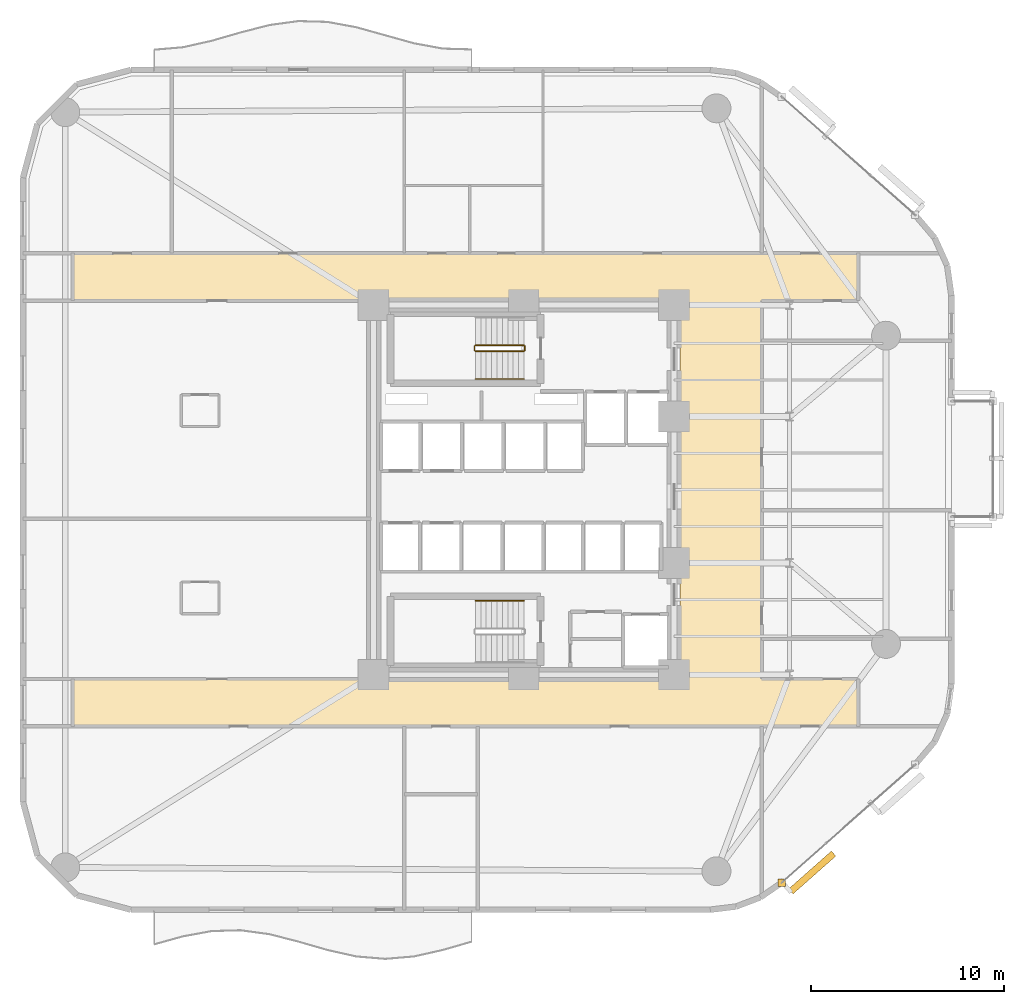
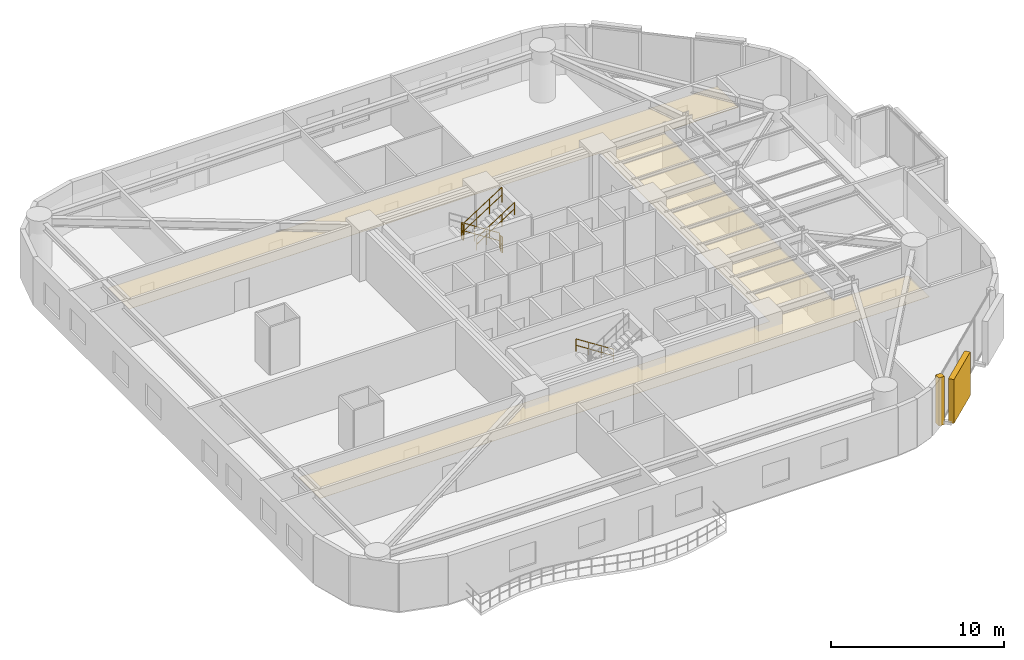
# One storey, part 15 of 16: 6 railings, 2 coverings, 1 shading device.
"""IFC4 building model written with IfcOpenShell, lengths in metres."""

import ifcopenshell
import ifcopenshell.guid

model = None  # the IFC model being written
_history = None  # IfcOwnerHistory: only IFC2X3 demands one
_inside = {}  # id of a spatial element -> (the spatial element, [elements in it])
_under = {}  # id of a project, library or spatial element -> (it, [spatial elements below it])
_declared = {}  # id of a project -> (the project, [libraries it declares])
_typed = {}  # id of a type object -> (the type object, [elements of that type])
_made_of = {}  # id of a material, layer set ... -> (it, [elements and type objects made of it])


def new_model(schema):
    """Start an empty IFC model of exactly this schema.

    Asked for "IFC4X3", IfcOpenShell would pick the latest addendum, in which some entities
    have other attributes; the version numbers below select the first issue.
    IFC2X3 requires an IfcOwnerHistory on every rooted entity: one is made here for all.
    """
    global model, _history
    if schema == "IFC4X3":
        model = ifcopenshell.file(schema_version=(4, 3, 0, 0))
    else:
        model = ifcopenshell.file(schema=schema)
    _inside.clear()
    _under.clear()
    _declared.clear()
    _typed.clear()
    _made_of.clear()
    _history = None
    if model.schema == "IFC2X3":
        org = make("IfcOrganization", Name="unknown")
        user = make(
            "IfcPersonAndOrganization",
            ThePerson=make("IfcPerson", FamilyName="unknown"),
            TheOrganization=org,
        )
        app = make(
            "IfcApplication",
            ApplicationDeveloper=org,
            Version="unknown",
            ApplicationFullName="unknown",
            ApplicationIdentifier="unknown",
        )
        _history = make(
            "IfcOwnerHistory",
            OwningUser=user,
            OwningApplication=app,
            ChangeAction="ADDED",
            CreationDate=0,
        )
    return model


def make(cls, **values):
    """One entity of the class cls with the attributes given. An attribute that is None is left unset."""
    return model.create_entity(
        cls, **{name: value for name, value in values.items() if value is not None}
    )


def rooted(cls, **values):
    """An entity with a GlobalId (a new one), such as an element, a storey or a relation."""
    return make(cls, GlobalId=ifcopenshell.guid.new(), OwnerHistory=_history, **values)


def si_unit(unit_type, name, prefix=None):
    """IfcSIUnit, for example si_unit("LENGTHUNIT", "METRE", prefix="MILLI")."""
    return make("IfcSIUnit", UnitType=unit_type, Prefix=prefix, Name=name)


def assignment(units):
    """IfcUnitAssignment: the units of a project."""
    return None if units is None else make("IfcUnitAssignment", Units=units)


def point(xyz):
    """IfcCartesianPoint."""
    return None if xyz is None else make("IfcCartesianPoint", Coordinates=xyz)


def direction(xyz):
    """IfcDirection."""
    return None if xyz is None else make("IfcDirection", DirectionRatios=xyz)


def frame(location, z_axis=None, x_axis=None):
    """IfcAxis2Placement3D, a coordinate frame: its origin and axes. An axis left out is left unset."""
    return make(
        "IfcAxis2Placement3D",
        Location=point(location),
        Axis=direction(z_axis),
        RefDirection=direction(x_axis),
    )


def frame_2d(location, x_axis=None):
    """IfcAxis2Placement2D, a coordinate frame in the plane: its origin and x axis."""
    return make(
        "IfcAxis2Placement2D", Location=point(location), RefDirection=direction(x_axis)
    )


def origin():
    """The frame at (0, 0, 0) with its axes left unset."""
    return frame((0.0, 0.0, 0.0))


def origin_2d():
    """The frame at (0, 0) in the plane with its x axis left unset."""
    return frame_2d((0.0, 0.0))


def place(relative_to, where):
    """IfcLocalPlacement: puts the frame where relative to a parent placement (None: the world)."""
    return make(
        "IfcLocalPlacement", PlacementRelTo=relative_to, RelativePlacement=where
    )


def context(
    kind, dimensions, precision=None, world=None, true_north=None, identifier=None
):
    """IfcGeometricRepresentationContext, for example the 3D "Model" context."""
    return make(
        "IfcGeometricRepresentationContext",
        ContextIdentifier=identifier,
        ContextType=kind,
        CoordinateSpaceDimension=dimensions,
        Precision=precision,
        WorldCoordinateSystem=world,
        TrueNorth=true_north,
    )


def subcontext(parent, identifier, kind, view, scale=None):
    """IfcGeometricRepresentationSubContext, for example "Body" below "Model"."""
    return make(
        "IfcGeometricRepresentationSubContext",
        ContextIdentifier=identifier,
        ContextType=kind,
        ParentContext=parent,
        TargetScale=scale,
        TargetView=view,
    )


def project(units=None, contexts=None):
    """IfcProject with its units and contexts."""
    return rooted(
        "IfcProject",
        Name="project",
        RepresentationContexts=contexts,
        UnitsInContext=assignment(units),
    )


def spatial(cls, under=None, at=None, **own):
    """A site, building, storey or space (cls), placed at a placement, below another one or the project."""
    s = rooted(cls, ObjectPlacement=at, **own)
    if under is not None:
        _under.setdefault(under.id(), (under, []))[1].append(s)
    return s


def polyline(points):
    """IfcPolyline through the points."""
    return make("IfcPolyline", Points=[point(p) for p in points])


def profile(cls, at=None, kind="AREA", **sizes):
    """A parametric profile (cls). Its sizes go by their IFC names, for example OverallWidth=200.0."""
    return make(cls, ProfileType=kind, Position=at, **sizes)


def rectangle(**sizes):
    """IfcRectangleProfileDef."""
    return profile("IfcRectangleProfileDef", **sizes)


def circle(**sizes):
    """IfcCircleProfileDef."""
    return profile("IfcCircleProfileDef", **sizes)


def outline(outer, holes=None, kind="AREA"):
    """IfcArbitraryClosedProfileDef: a profile drawn as a closed curve; with holes, ...WithVoids."""
    if holes is None:
        return make("IfcArbitraryClosedProfileDef", ProfileType=kind, OuterCurve=outer)
    return make(
        "IfcArbitraryProfileDefWithVoids",
        ProfileType=kind,
        OuterCurve=outer,
        InnerCurves=holes,
    )


def extrude(swept, where, along, depth):
    """IfcExtrudedAreaSolid: the profile swept, set in the frame where, extruded along a direction by depth."""
    return make(
        "IfcExtrudedAreaSolid",
        SweptArea=swept,
        Position=where,
        ExtrudedDirection=direction(along),
        Depth=depth,
    )


def shape(context_of_items, identifier, shape_type, items):
    """IfcShapeRepresentation: the items that make up one representation, for example the "Body"."""
    return make(
        "IfcShapeRepresentation",
        ContextOfItems=context_of_items,
        RepresentationIdentifier=identifier,
        RepresentationType=shape_type,
        Items=items,
    )


def material(Name=None, Category=None):
    """IfcMaterial."""
    return make("IfcMaterial", Name=Name, Category=Category)


def layer(
    of_material, thickness, ventilated=None, Name=None, Category=None, Priority=None
):
    """IfcMaterialLayer: one layer of a wall or slab, of a material (None: an air gap)."""
    return make(
        "IfcMaterialLayer",
        Material=of_material,
        LayerThickness=thickness,
        IsVentilated=ventilated,
        Name=Name,
        Category=Category,
        Priority=Priority,
    )


def layer_set(layers, Name=None):
    """IfcMaterialLayerSet."""
    return make("IfcMaterialLayerSet", MaterialLayers=layers, LayerSetName=Name)


def made_of(thing, what):
    """Note that an element or type object is made of a material, layer set ...; save() writes the relation."""
    if what is not None:
        _made_of.setdefault(what.id(), (what, []))[1].append(thing)
    return thing


def type_object(cls, material=None, **own):
    """A type object (cls), such as IfcWallType, which elements share."""
    return made_of(rooted(cls, **own), material)


def element(
    cls,
    number,
    at=None,
    inside=None,
    cuts=None,
    type_object=None,
    material=None,
    context=None,
    identifier="Body",
    shape_type=None,
    held_by="IfcProductDefinitionShape",
    body=None,
    shapes=None,
    **own,
):
    """One element of the class cls, such as IfcWall. Its Tag is "e" and its number.

    at: its placement. inside: the storey or other place that contains it. cuts: it is an
    opening in that element (IfcRelVoidsElement). A single representation is given by context,
    identifier, shape_type and body (its items); several are given by shapes. held_by: the class
    of the entity that holds the representations. save() writes the other relations.
    """
    e = rooted(cls, Tag="e%d" % number, ObjectPlacement=at, **own)
    if body is not None:
        shapes = [shape(context, identifier, shape_type, body)]
    if shapes is not None:
        e.Representation = make(held_by, Representations=shapes)
    if inside is not None:
        _inside.setdefault(inside.id(), (inside, []))[1].append(e)
    if cuts is not None:
        rooted(
            "IfcRelVoidsElement", RelatingBuildingElement=cuts, RelatedOpeningElement=e
        )
    if type_object is not None:
        _typed.setdefault(type_object.id(), (type_object, []))[1].append(e)
    return made_of(e, material)


def aggregate(whole, parts):
    """IfcRelAggregates: a whole, such as a stair, and the parts it consists of."""
    return rooted("IfcRelAggregates", RelatingObject=whole, RelatedObjects=parts)


def save(model, path):
    """Write the relations noted so far, then the file.

    IfcRelAggregates (storeys below a building ...), IfcRelContainedInSpatialStructure (elements
    in a storey), IfcRelDefinesByType, IfcRelAssociatesMaterial and IfcRelDeclares: one each for
    every whole, place, type object, material and project.
    """
    for whole, parts in _under.values():
        aggregate(whole, parts)
    for where, things in _inside.values():
        rooted(
            "IfcRelContainedInSpatialStructure",
            RelatedElements=things,
            RelatingStructure=where,
        )
    for kind, things in _typed.values():
        rooted("IfcRelDefinesByType", RelatedObjects=things, RelatingType=kind)
    for what, things in _made_of.values():
        rooted("IfcRelAssociatesMaterial", RelatedObjects=things, RelatingMaterial=what)
    for by, libraries in _declared.values():
        rooted("IfcRelDeclares", RelatingContext=by, RelatedDefinitions=libraries)
    model.write(path)


model = new_model("IFC4")

# Units and contexts
model_context = context("Model", 3, precision=1e-05, world=origin(), true_north=direction((0.0, 1.0)))
body_context = subcontext(model_context, "Body", "Model", "MODEL_VIEW")
ifc_project = project(units=[si_unit("LENGTHUNIT", "METRE"), si_unit("AREAUNIT", "SQUARE_METRE"), si_unit("VOLUMEUNIT", "CUBIC_METRE"), si_unit("PLANEANGLEUNIT", "RADIAN"), si_unit("MASSUNIT", "GRAM", prefix="KILO")], contexts=[model_context])

# Site, building, storey
site_placement = place(None, origin())
site = spatial("IfcSite", under=ifc_project, at=site_placement, CompositionType="ELEMENT")
building_placement = place(site_placement, origin())
building = spatial("IfcBuilding", under=site, at=building_placement, Name="An Khanh Terracotta Commons", CompositionType="ELEMENT")
storey_placement = place(building_placement, frame((0.0, 0.0, 46.800048828125)))
storey = spatial("IfcBuildingStorey", under=building, at=storey_placement, Name="L12", CompositionType="ELEMENT", Elevation=46.800048828125)

# Coverings
ifc_material_1 = material(Name="Perforated Mineral-Fibre Acoustic Tile")
ifc_layer_1 = layer(ifc_material_1, 0.02001953125, Name="Perforated Mineral-Fibre Acoustic Tile")
ifc_layer_set_1 = layer_set([ifc_layer_1], Name="Perforated Mineral-Fibre Acoustic Tile")
covering_type_1 = type_object("IfcCoveringType", Name="CEIL-ACOUSTIC-18", PredefinedType="CEILING", material=ifc_layer_set_1)
covering_1_placement = place(storey_placement, frame((0.0, 0.0, 2.64990234375)))
element("IfcCovering", 1, at=covering_1_placement, inside=storey, type_object=covering_type_1, Name="L12 Corridor Ceiling", PredefinedType="CEILING", context=body_context, shape_type="SweptSolid", body=[
    extrude(outline(polyline([(37.5, 14.179931640625), (37.5, 33.820068359375), (6.0, 33.820068359375), (6.0, 36.280029296875), (37.5, 36.280029296875), (41.75, 36.280029296875), (46.75, 36.280029296875), (46.75, 33.820068359375), (41.75, 33.820068359375), (41.75, 14.179931640625), (46.75, 14.179931640625), (46.75, 11.719970703125), (41.75, 11.719970703125), (37.5, 11.719970703125), (6.0, 11.719970703125), (6.0, 14.179931640625), (37.5, 14.179931640625)])), origin(), (0.0, 0.0, 1.0), 0.02001953125),
])
ifc_material_2 = material(Name="Fired Terracotta Rainscreen Cladding", Category="masonry")
ifc_layer_2 = layer(ifc_material_2, 0.080078125, Name="Fired Terracotta Rainscreen Cladding")
ifc_layer_set_2 = layer_set([ifc_layer_2], Name="Fired Terracotta Rainscreen Cladding")
covering_type_2 = type_object("IfcCoveringType", Name="COV-JAMB-TERRA", PredefinedType="CLADDING", material=ifc_layer_set_2)
covering_2_placement = place(storey_placement, frame((42.7890625, 3.60595703125, 0.0), z_axis=(0.0, 0.0, 1.0), x_axis=(1.0, 0.0, 0.0)))
element("IfcCovering", 2, at=covering_2_placement, inside=storey, type_object=covering_type_2, Name="L12 CW-02 Curtain-Wall Jamb Closure JA", PredefinedType="CLADDING", context=body_context, shape_type="SweptSolid", body=[
    extrude(rectangle(XDim=0.3798828125, YDim=0.3798828125, at=origin_2d()), origin(), (0.0, 0.0, 1.0), 3.39990234375),
])

# Railings
ifc_material_3 = material(Name="Brushed Stainless Steel 316", Category="steel")
railing_type_1 = type_object("IfcRailingType", Name="RAIL-HANDRAIL-900", PredefinedType="HANDRAIL", material=ifc_material_3)
railing_1_placement = place(storey_placement, frame((26.889892578125, 29.75, 1.97998046875)))
element("IfcRailing", 3, at=railing_1_placement, inside=storey, type_object=railing_type_1, Name="L12 ST-01 stair handrail 2", PredefinedType="HANDRAIL", context=body_context, shape_type="SweptSolid", body=[
    extrude(circle(Radius=0.02392578125, at=origin_2d()), frame((0.0, 0.0, 0.8759765625), z_axis=(0.841199657755, 0.0, 0.540724639528), x_axis=(0.0, 1.0, 0.0)), (0.0, 0.0, 1.0), 2.995849609375),
    extrude(circle(Radius=0.02392578125, at=origin_2d()), frame((0.0, 0.0, 0.42578125), z_axis=(0.841199657755, 0.0, 0.540724639528), x_axis=(0.0, 1.0, 0.0)), (0.0, 0.0, 1.0), 2.995849609375),
    extrude(circle(Radius=0.02099609375, at=origin_2d()), origin(), (0.0, 0.0, 1.0), 0.851806640625),
    extrude(circle(Radius=0.02099609375, at=origin_2d()), frame((0.840087890625, 0.0, 0.5400390625)), (0.0, 0.0, 1.0), 0.851806640625),
    extrude(circle(Radius=0.02099609375, at=origin_2d()), frame((1.679931640625, 0.0, 1.079833984375)), (0.0, 0.0, 1.0), 0.851806640625),
    extrude(circle(Radius=0.02099609375, at=origin_2d()), frame((2.52001953125, 0.0, 1.619873046875)), (0.0, 0.0, 1.0), 0.851806640625),
])
railing_2_placement = place(storey_placement, frame((29.409912109375, 18.25, 0.179931640625)))
element("IfcRailing", 4, at=railing_2_placement, inside=storey, type_object=railing_type_1, Name="L12 ST-02 stair handrail 1", PredefinedType="HANDRAIL", context=body_context, shape_type="SweptSolid", body=[
    extrude(circle(Radius=0.02392578125, at=origin_2d()), frame((0.0, 0.0, 0.8759765625), z_axis=(-0.841162588446, 0.0, 0.540782303519), x_axis=(0.0, -1.0, 0.0)), (0.0, 0.0, 1.0), 2.995849609375),
    extrude(circle(Radius=0.02392578125, at=origin_2d()), frame((0.0, 0.0, 0.42578125), z_axis=(-0.841162588446, 0.0, 0.540782303519), x_axis=(0.0, -1.0, 0.0)), (0.0, 0.0, 1.0), 2.995849609375),
    extrude(circle(Radius=0.02099609375, at=origin_2d()), origin(), (0.0, 0.0, 1.0), 0.851806640625),
    extrude(circle(Radius=0.02099609375, at=origin_2d()), frame((-0.840087890625, 0.0, 0.5400390625)), (0.0, 0.0, 1.0), 0.851806640625),
    extrude(circle(Radius=0.02099609375, at=origin_2d()), frame((-1.679931640625, 0.0, 1.080078125)), (0.0, 0.0, 1.0), 0.851806640625),
    extrude(circle(Radius=0.02099609375, at=origin_2d()), frame((-2.52001953125, 0.0, 1.6201171875)), (0.0, 0.0, 1.0), 0.851806640625),
])
ifc_material_4 = material(Name="Powder-Coated Steel S355J2", Category="steel")
railing_type_2 = type_object("IfcRailingType", Name="RAIL-STAIR-GUARD-1100", PredefinedType="BALUSTRADE", material=ifc_material_4)
railing_3_placement = place(storey_placement, frame((29.409912109375, 31.5, 0.179931640625)))
element("IfcRailing", 5, at=railing_3_placement, inside=storey, type_object=railing_type_2, Name="L12 ST-01 stair guard 1", PredefinedType="BALUSTRADE", context=body_context, shape_type="SweptSolid", body=[
    extrude(circle(Radius=0.02392578125, at=origin_2d()), frame((0.0, 0.0, 1.076171875), z_axis=(-0.841162588446, 0.0, 0.540782303519), x_axis=(0.0, -1.0, 0.0)), (0.0, 0.0, 1.0), 2.995849609375),
    extrude(circle(Radius=0.02392578125, at=origin_2d()), frame((0.0, 0.0, 0.52587890625), z_axis=(-0.841162588446, 0.0, 0.540782303519), x_axis=(0.0, -1.0, 0.0)), (0.0, 0.0, 1.0), 2.995849609375),
    extrude(circle(Radius=0.02099609375, at=origin_2d()), origin(), (0.0, 0.0, 1.0), 1.052001953125),
    extrude(circle(Radius=0.02099609375, at=origin_2d()), frame((-0.840087890625, 0.0, 0.5400390625)), (0.0, 0.0, 1.0), 1.052001953125),
    extrude(circle(Radius=0.02099609375, at=origin_2d()), frame((-1.679931640625, 0.0, 1.080078125)), (0.0, 0.0, 1.0), 1.052001953125),
    extrude(circle(Radius=0.02099609375, at=origin_2d()), frame((-2.52001953125, 0.0, 1.6201171875)), (0.0, 0.0, 1.0), 1.052001953125),
])
railing_4_placement = place(storey_placement, frame((26.840087890625, 31.449951171875, 1.800048828125)))
element("IfcRailing", 6, at=railing_4_placement, inside=storey, type_object=railing_type_2, Name="L12 ST-01 stair guard 2", PredefinedType="BALUSTRADE", context=body_context, shape_type="SweptSolid", body=[
    extrude(circle(Radius=0.02392578125, at=origin_2d()), frame((0.0, 0.0, 1.076171875), z_axis=(0.0, -1.0, 0.0), x_axis=(1.0, 0.0, 0.0)), (0.0, 0.0, 1.0), 0.199951171875),
    extrude(circle(Radius=0.02392578125, at=origin_2d()), frame((0.0, 0.0, 0.52587890625), z_axis=(0.0, -1.0, 0.0), x_axis=(1.0, 0.0, 0.0)), (0.0, 0.0, 1.0), 0.199951171875),
    extrude(circle(Radius=0.02099609375, at=origin_2d()), origin(), (0.0, 0.0, 1.0), 1.052001953125),
    extrude(circle(Radius=0.02099609375, at=origin_2d()), frame((0.0, -0.199951171875, 0.0)), (0.0, 0.0, 1.0), 1.052001953125),
])
railing_5_placement = place(storey_placement, frame((26.889892578125, 31.199951171875, 1.97998046875)))
element("IfcRailing", 7, at=railing_5_placement, inside=storey, type_object=railing_type_2, Name="L12 ST-01 stair guard 3", PredefinedType="BALUSTRADE", context=body_context, shape_type="SweptSolid", body=[
    extrude(circle(Radius=0.02392578125, at=origin_2d()), frame((0.0, 0.0, 1.076171875), z_axis=(0.841199657755, 0.0, 0.540724639528), x_axis=(0.0, 1.0, 0.0)), (0.0, 0.0, 1.0), 2.995849609375),
    extrude(circle(Radius=0.02392578125, at=origin_2d()), frame((0.0, 0.0, 0.52587890625), z_axis=(0.841199657755, 0.0, 0.540724639528), x_axis=(0.0, 1.0, 0.0)), (0.0, 0.0, 1.0), 2.995849609375),
    extrude(circle(Radius=0.02099609375, at=origin_2d()), origin(), (0.0, 0.0, 1.0), 1.052001953125),
    extrude(circle(Radius=0.02099609375, at=origin_2d()), frame((0.840087890625, 0.0, 0.5400390625)), (0.0, 0.0, 1.0), 1.052001953125),
    extrude(circle(Radius=0.02099609375, at=origin_2d()), frame((1.679931640625, 0.0, 1.079833984375)), (0.0, 0.0, 1.0), 1.052001953125),
    extrude(circle(Radius=0.02099609375, at=origin_2d()), frame((2.52001953125, 0.0, 1.619873046875)), (0.0, 0.0, 1.0), 1.052001953125),
])
railing_6_placement = place(storey_placement, frame((29.4599609375, 31.449951171875, 0.0)))
element("IfcRailing", 8, at=railing_6_placement, inside=storey, type_object=railing_type_2, Name="L12 ST-01 stair guard 4", PredefinedType="BALUSTRADE", context=body_context, shape_type="SweptSolid", body=[
    extrude(circle(Radius=0.02392578125, at=origin_2d()), frame((0.0, 0.0, 1.076171875), z_axis=(0.0, -1.0, 0.0), x_axis=(1.0, 0.0, 0.0)), (0.0, 0.0, 1.0), 0.199951171875),
    extrude(circle(Radius=0.02392578125, at=origin_2d()), frame((0.0, 0.0, 0.52587890625), z_axis=(0.0, -1.0, 0.0), x_axis=(1.0, 0.0, 0.0)), (0.0, 0.0, 1.0), 0.199951171875),
    extrude(circle(Radius=0.02099609375, at=origin_2d()), origin(), (0.0, 0.0, 1.0), 1.052001953125),
    extrude(circle(Radius=0.02099609375, at=origin_2d()), frame((0.0, -0.199951171875, 0.0)), (0.0, 0.0, 1.0), 1.052001953125),
])

# Shading device
ifc_material_5 = material(Name="Extruded Fired Terracotta", Category="masonry")
shading_device_type = type_object("IfcShadingDeviceType", Name="Terracotta Baguette Screen Assembly", PredefinedType="USERDEFINED", material=ifc_material_5)
shading_device_placement = place(storey_placement, frame((44.373046875, 4.138916015625, 0.14990234375), z_axis=(0.0, 0.0, 1.0), x_axis=(0.749019284633, 0.662548195415, 0.0)))
element("IfcShadingDevice", 9, at=shading_device_placement, inside=storey, type_object=shading_device_type, Name="L12 Terracotta Baguette Screen 1", ObjectType="BAGUETTE", PredefinedType="USERDEFINED", context=body_context, shape_type="SweptSolid", body=[
    extrude(rectangle(XDim=2.9599609375, YDim=0.35009765625, at=origin_2d()), origin(), (0.0, 0.0, 1.0), 3.10009765625),
])

save(model, "model.ifc")
